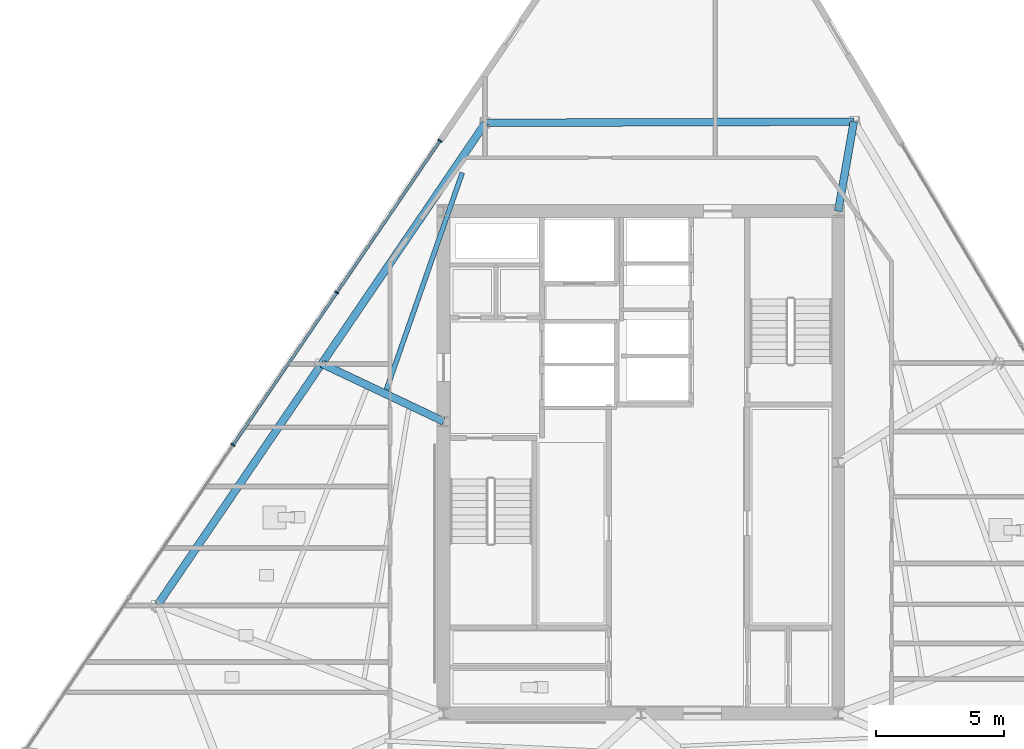
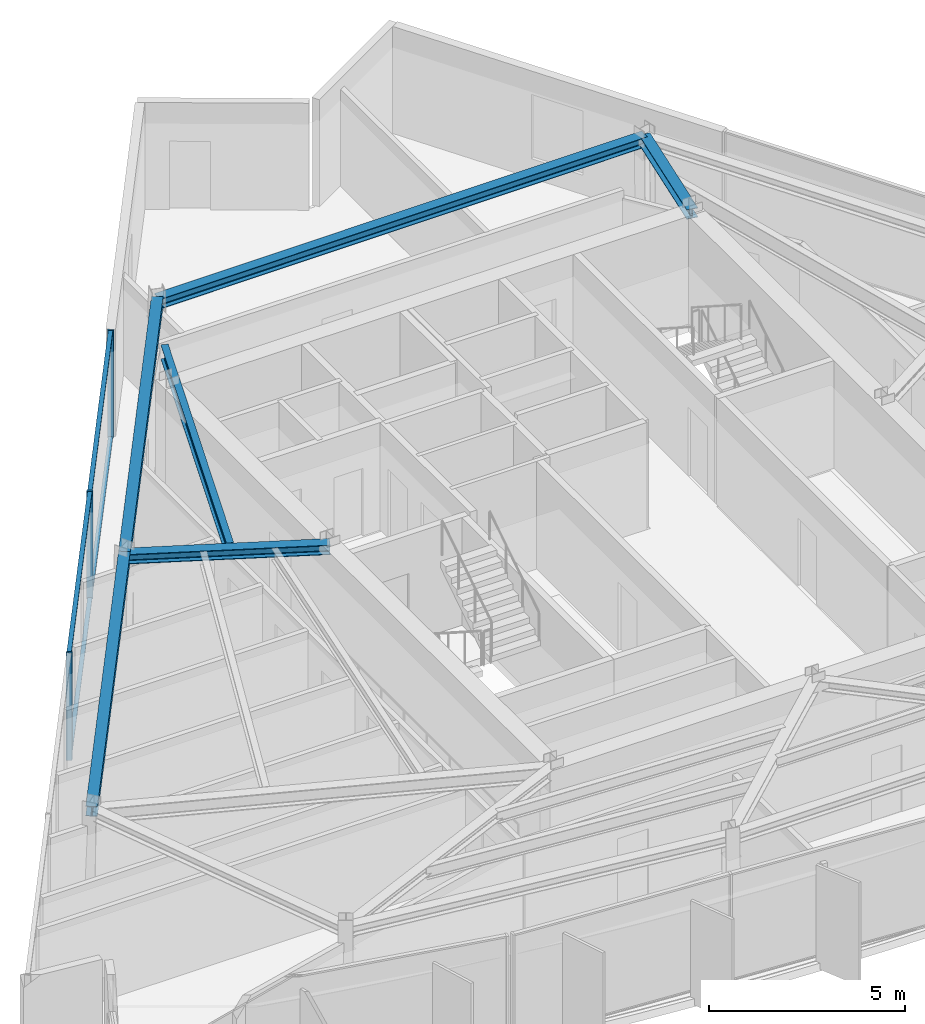
# One storey, part 4 of 13: 7 members, 6 beams, 1 element without a shape of its own.
"""IFC4 building model written with IfcOpenShell, lengths in metres."""

from ifc_helpers import new_model, si_unit, direction, frame, origin, origin_2d, place, context, subcontext, project, spatial, rectangle, i_section, extrude, material, material_profile, profile_set, type_object, element, aggregate, save


model = new_model("IFC4")

# Units and contexts
model_context = context("Model", 3, precision=1e-05, world=origin(), true_north=direction((0.0, 1.0)))
body_context = subcontext(model_context, "Body", "Model", "MODEL_VIEW")
ifc_project = project(units=[si_unit("LENGTHUNIT", "METRE"), si_unit("AREAUNIT", "SQUARE_METRE"), si_unit("VOLUMEUNIT", "CUBIC_METRE"), si_unit("PLANEANGLEUNIT", "RADIAN"), si_unit("MASSUNIT", "GRAM", prefix="KILO")], contexts=[model_context])

# Site, building, storey
site_placement = place(None, origin())
site = spatial("IfcSite", under=ifc_project, at=site_placement, CompositionType="ELEMENT")
building_placement = place(site_placement, origin())
building = spatial("IfcBuilding", under=site, at=building_placement, Name="Savorim Split Tower", CompositionType="ELEMENT")
storey_placement = place(building_placement, frame((0.0, 0.0, 250.800048828125)))
storey = spatial("IfcBuildingStorey", under=building, at=storey_placement, Name="L66", CompositionType="ELEMENT", Elevation=250.800048828125)

# Beams
ifc_material_1 = material(Name="Steel S355", Category="steel")
ifc_material_profile_1 = material_profile(ifc_material_1, i_section(OverallWidth=0.18994140625, OverallDepth=0.449951171875, WebThickness=0.009521484375, FlangeThickness=0.0146484375, FilletRadius=0.02099609375, at=origin_2d()), Name="IPE 450")
ifc_profile_set_1 = profile_set([ifc_material_profile_1], Name="Steel S355")
beam_type_1 = type_object("IfcBeamType", Name="BM-JST-IPE450", PredefinedType="JOIST", material=ifc_profile_set_1)
beam_1_placement = place(storey_placement, frame((-6.965087890625, 11.70166015625, 3.125), z_axis=(-0.330036537163, -0.943968158434, 0.0), x_axis=(0.943968158434, -0.330036537163, 0.0)))
element("IfcBeam", 1, at=beam_1_placement, inside=storey, type_object=beam_type_1, Name="L66 Secondary Floor Joist JS-09", PredefinedType="JOIST", context=body_context, shape_type="SweptSolid", body=[
    extrude(i_section(OverallWidth=0.18994140625, OverallDepth=0.449951171875, WebThickness=0.009521484375, FlangeThickness=0.0146484375, FilletRadius=0.02099609375, at=origin_2d()), origin(), (0.0, 0.0, 1.0), 8.973876953125),
])
ifc_material_profile_2 = material_profile(ifc_material_1, i_section(OverallWidth=0.300048828125, OverallDepth=0.300048828125, WebThickness=0.010986328125, FlangeThickness=0.01904296875, FilletRadius=0.027099609375, at=origin_2d()), Name="HEB 300")
ifc_profile_set_2 = profile_set([ifc_material_profile_2], Name="Steel S355")
beam_type_2 = type_object("IfcBeamType", Name="BM-PRI-HEB300", PredefinedType="BEAM", material=ifc_profile_set_2)
beam_2_placement = place(storey_placement, frame((8.3076171875, 13.69189453125, 3.199951171875), z_axis=(-0.171442914374, -0.98519405556, 0.0), x_axis=(0.98519405556, -0.171442914374, 0.0)))
element("IfcBeam", 2, at=beam_2_placement, inside=storey, type_object=beam_type_2, Name="L66 Primary Floor Girder RG-07", PredefinedType="BEAM", context=body_context, shape_type="SweptSolid", body=[
    extrude(i_section(OverallWidth=0.300048828125, OverallDepth=0.300048828125, WebThickness=0.010986328125, FlangeThickness=0.01904296875, FilletRadius=0.027099609375, at=origin_2d()), origin(), (0.0, 0.0, 1.0), 3.54443359375),
])
beam_3_placement = place(storey_placement, frame((-12.44921875, 4.2490234375, 3.199951171875), z_axis=(0.90378418837, -0.42798848215, 0.0), x_axis=(0.42798848215, 0.90378418837, 0.0)))
element("IfcBeam", 3, at=beam_3_placement, inside=storey, type_object=beam_type_2, Name="L66 Primary Floor Girder RG-09", PredefinedType="BEAM", context=body_context, shape_type="SweptSolid", body=[
    extrude(i_section(OverallWidth=0.300048828125, OverallDepth=0.300048828125, WebThickness=0.010986328125, FlangeThickness=0.01904296875, FilletRadius=0.027099609375, at=origin_2d()), origin(), (0.0, 0.0, 1.0), 5.2548828125),
])
ifc_material_profile_3 = material_profile(ifc_material_1, i_section(OverallWidth=0.300048828125, OverallDepth=0.31005859375, WebThickness=0.009033203125, FlangeThickness=0.015380859375, FilletRadius=0.027099609375, at=origin_2d()), Name="HEA 320")
ifc_profile_set_3 = profile_set([ifc_material_profile_3], Name="Steel S355")
beam_type_3 = type_object("IfcBeamType", Name="BM-SPN-HEA320", PredefinedType="SPANDREL", material=ifc_profile_set_3)
beam_4_placement = place(storey_placement, frame((8.3076171875, 13.69189453125, 3.195068359375), z_axis=(-0.999994224071, -0.00339879758, 0.0), x_axis=(0.00339879758, -0.999994224071, 0.0)))
element("IfcBeam", 4, at=beam_4_placement, inside=storey, type_object=beam_type_3, Name="L66 Perimeter Spandrel Beam 7", PredefinedType="SPANDREL", context=body_context, shape_type="SweptSolid", body=[
    extrude(i_section(OverallWidth=0.300048828125, OverallDepth=0.31005859375, WebThickness=0.009033203125, FlangeThickness=0.015380859375, FilletRadius=0.027099609375, at=origin_2d()), origin(), (0.0, 0.0, 1.0), 14.3662109375),
])
beam_5_placement = place(storey_placement, frame((-6.05859375, 13.64306640625, 3.195068359375), z_axis=(-0.562471053528, -0.826816977295, 0.0), x_axis=(0.826816977295, -0.562471053528, 0.0)))
element("IfcBeam", 5, at=beam_5_placement, inside=storey, type_object=beam_type_3, Name="L66 Perimeter Spandrel Beam 8", PredefinedType="SPANDREL", context=body_context, shape_type="SweptSolid", body=[
    extrude(i_section(OverallWidth=0.300048828125, OverallDepth=0.31005859375, WebThickness=0.009033203125, FlangeThickness=0.015380859375, FilletRadius=0.027099609375, at=origin_2d()), origin(), (0.0, 0.0, 1.0), 11.36181640625),
])
beam_6_placement = place(storey_placement, frame((-12.44921875, 4.2490234375, 3.195068359375), z_axis=(-0.56246635683, -0.826820172368, 0.0), x_axis=(0.826820172368, -0.56246635683, 0.0)))
element("IfcBeam", 6, at=beam_6_placement, inside=storey, type_object=beam_type_3, Name="L66 Perimeter Spandrel Beam 9", PredefinedType="SPANDREL", context=body_context, shape_type="SweptSolid", body=[
    extrude(i_section(OverallWidth=0.300048828125, OverallDepth=0.31005859375, WebThickness=0.009033203125, FlangeThickness=0.015380859375, FilletRadius=0.027099609375, at=origin_2d()), origin(), (0.0, 0.0, 1.0), 11.361328125),
])

# Curtain wall, members
ifc_material_2 = material(Name="Dark Ceramic-Fritted Insulated Glass", Category="glass")
curtain_wall_type = type_object("IfcCurtainWallType", Name="CW-TWR-FRIT-B", PredefinedType="NOTDEFINED", material=ifc_material_2)
curtain_wall_placement = place(storey_placement, origin())
curtain_wall = element("IfcCurtainWall", 7, at=curtain_wall_placement, inside=storey, type_object=curtain_wall_type, Name="L66 Curtain Wall CW-L66-WEST", PredefinedType="NOTDEFINED")
ifc_material_3 = material(Name="Charcoal Anodised Aluminium", Category="aluminium")
ifc_material_profile_4 = material_profile(ifc_material_3, rectangle(XDim=0.159912109375, YDim=0.06005859375, at=origin_2d()), Name="ALU-M 160x60")
ifc_profile_set_4 = profile_set([ifc_material_profile_4], Name="Charcoal Anodised Aluminium")
member_type_1 = type_object("IfcMemberType", Name="CWM-160x60", PredefinedType="MULLION", material=ifc_profile_set_4)
member_1_placement = place(storey_placement, frame((-7.833740234375, 12.946044921875, 0.0), z_axis=(0.0, 0.0, 1.0), x_axis=(0.826817472755, -0.562470325215, 0.0)))
member_1 = element("IfcMember", 8, at=member_1_placement, type_object=member_type_1, Name="CW-03 mullion 1", PredefinedType="MULLION", context=body_context, shape_type="SweptSolid", body=[
    extrude(rectangle(XDim=0.159912109375, YDim=0.06005859375, at=origin_2d()), origin(), (0.0, 0.0, 1.0), 3.349853515625),
])
member_2_placement = place(storey_placement, frame((-11.86181640625, 7.02490234375, 0.0), z_axis=(0.0, 0.0, 1.0), x_axis=(0.826817472755, -0.562470325215, 0.0)))
member_2 = element("IfcMember", 9, at=member_2_placement, type_object=member_type_1, Name="CW-03 mullion 2", PredefinedType="MULLION", context=body_context, shape_type="SweptSolid", body=[
    extrude(rectangle(XDim=0.159912109375, YDim=0.06005859375, at=origin_2d()), origin(), (0.0, 0.0, 1.0), 3.349853515625),
])
member_3_placement = place(storey_placement, frame((-15.906982421875, 1.078857421875, 0.0), z_axis=(0.0, 0.0, 1.0), x_axis=(0.826817472755, -0.562470325215, 0.0)))
member_3 = element("IfcMember", 10, at=member_3_placement, type_object=member_type_1, Name="CW-03 mullion 3", PredefinedType="MULLION", context=body_context, shape_type="SweptSolid", body=[
    extrude(rectangle(XDim=0.159912109375, YDim=0.06005859375, at=origin_2d()), origin(), (0.0, 0.0, 1.0), 3.349853515625),
])
ifc_material_profile_5 = material_profile(ifc_material_3, rectangle(XDim=0.1201171875, YDim=0.050048828125, at=origin_2d()), Name="ALU-T 120x50")
ifc_profile_set_5 = profile_set([ifc_material_profile_5], Name="Charcoal Anodised Aluminium")
member_type_2 = type_object("IfcMemberType", Name="CWT-120x50", PredefinedType="USERDEFINED", material=ifc_profile_set_5)
member_4_placement = place(storey_placement, frame((-7.8505859375, 12.92138671875, 0.02490234375), z_axis=(-0.562458582496, -0.826825461011, 0.0), x_axis=(0.826825461011, -0.562458582496, 0.0)))
member_4 = element("IfcMember", 11, at=member_4_placement, type_object=member_type_2, Name="CW-03 transom 1.1", ObjectType="TRANSOM", PredefinedType="USERDEFINED", context=body_context, shape_type="SweptSolid", body=[
    extrude(rectangle(XDim=0.1201171875, YDim=0.050048828125, at=origin_2d()), origin(), (0.0, 0.0, 1.0), 7.1015625),
])
member_5_placement = place(storey_placement, frame((-7.8505859375, 12.92138671875, 3.324951171875), z_axis=(-0.562458582496, -0.826825461011, 0.0), x_axis=(0.826825461011, -0.562458582496, 0.0)))
member_5 = element("IfcMember", 12, at=member_5_placement, type_object=member_type_2, Name="CW-03 transom 1.2", ObjectType="TRANSOM", PredefinedType="USERDEFINED", context=body_context, shape_type="SweptSolid", body=[
    extrude(rectangle(XDim=0.1201171875, YDim=0.050048828125, at=origin_2d()), origin(), (0.0, 0.0, 1.0), 7.1015625),
])
member_6_placement = place(storey_placement, frame((-11.878662109375, 7.0, 0.02490234375), z_axis=(-0.56248885338, -0.826804868045, 0.0), x_axis=(0.826804868045, -0.56248885338, 0.0)))
member_6 = element("IfcMember", 13, at=member_6_placement, type_object=member_type_2, Name="CW-03 transom 2.1", ObjectType="TRANSOM", PredefinedType="USERDEFINED", context=body_context, shape_type="SweptSolid", body=[
    extrude(rectangle(XDim=0.1201171875, YDim=0.050048828125, at=origin_2d()), origin(), (0.0, 0.0, 1.0), 7.131591796875),
])
member_7_placement = place(storey_placement, frame((-11.878662109375, 7.0, 3.324951171875), z_axis=(-0.56248885338, -0.826804868045, 0.0), x_axis=(0.826804868045, -0.56248885338, 0.0)))
member_7 = element("IfcMember", 14, at=member_7_placement, type_object=member_type_2, Name="CW-03 transom 2.2", ObjectType="TRANSOM", PredefinedType="USERDEFINED", context=body_context, shape_type="SweptSolid", body=[
    extrude(rectangle(XDim=0.1201171875, YDim=0.050048828125, at=origin_2d()), origin(), (0.0, 0.0, 1.0), 7.131591796875),
])
aggregate(curtain_wall, [member_1, member_2, member_3, member_4, member_5, member_6, member_7])

save(model, "model.ifc")
